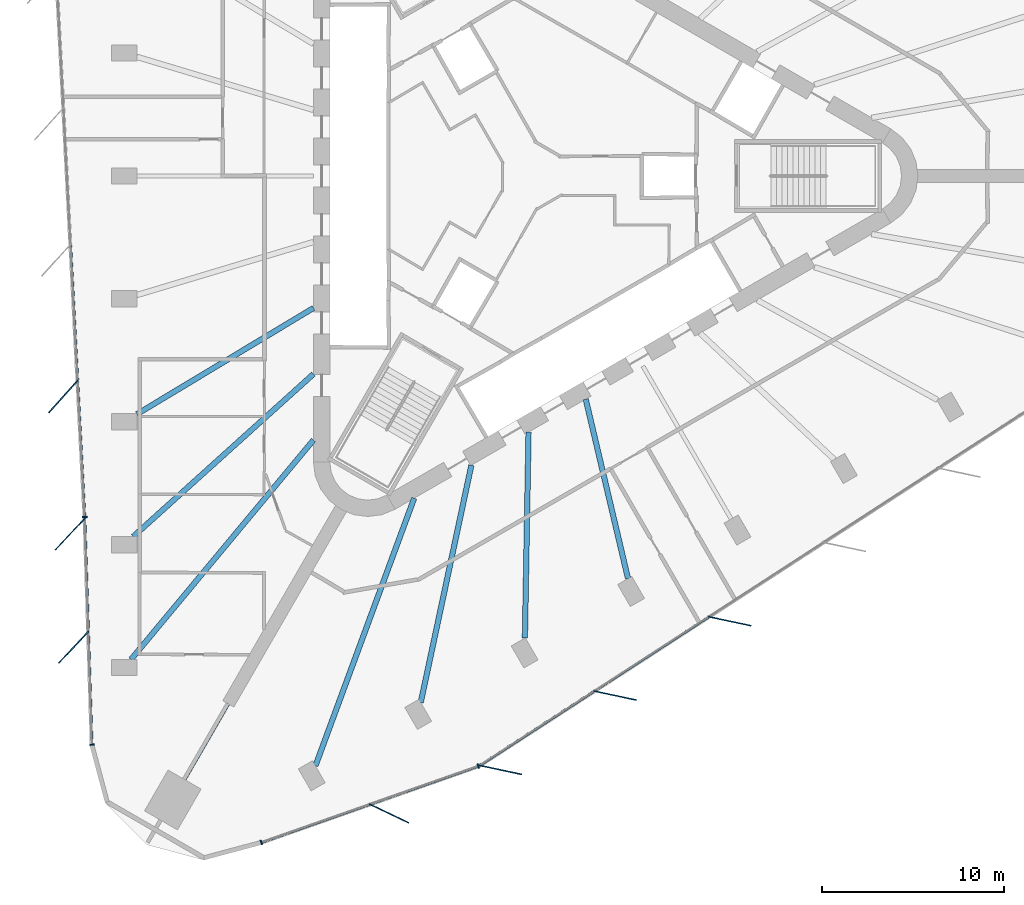
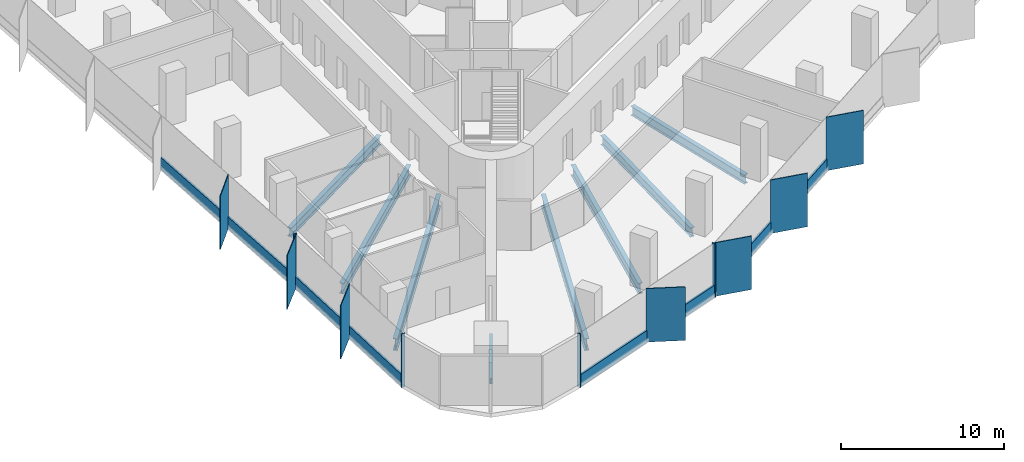
# One storey, part 2 of 13: 19 members, 8 beams, 4 elements without a shape of their own.
"""IFC4 building model written with IfcOpenShell, lengths in metres."""

from ifc_helpers import new_model, si_unit, direction, frame, origin, origin_2d, place, context, subcontext, project, spatial, rectangle, i_section, extrude, material, material_profile, profile_set, type_object, element, aggregate, save


model = new_model("IFC4")

# Units and contexts
model_context = context("Model", 3, precision=1e-05, world=origin(), true_north=direction((0.0, 1.0)))
body_context = subcontext(model_context, "Body", "Model", "MODEL_VIEW")
ifc_project = project(units=[si_unit("LENGTHUNIT", "METRE"), si_unit("AREAUNIT", "SQUARE_METRE"), si_unit("VOLUMEUNIT", "CUBIC_METRE"), si_unit("PLANEANGLEUNIT", "RADIAN"), si_unit("MASSUNIT", "GRAM", prefix="KILO")], contexts=[model_context])

# Site, building, storey
site_placement = place(None, origin())
site = spatial("IfcSite", under=ifc_project, at=site_placement, CompositionType="ELEMENT")
building_placement = place(site_placement, origin())
building = spatial("IfcBuilding", under=site, at=building_placement, Name="Tanit Gate Tower", CompositionType="ELEMENT")
storey_placement = place(building_placement, frame((0.0, 0.0, 177.199951171875)))
storey = spatial("IfcBuildingStorey", under=building, at=storey_placement, Name="L38", CompositionType="ELEMENT", Elevation=177.199951171875)

# Curtain wall, member
ifc_material_1 = material(Name="Aluminium bronze anodised and glass", Category="aluminium")
curtain_wall_type = type_object("IfcCurtainWallType", Name="Curtain wall typical mid", PredefinedType="NOTDEFINED", material=ifc_material_1)
curtain_wall_1_placement = place(storey_placement, origin())
curtain_wall_1 = element("IfcCurtainWall", 1, at=curtain_wall_1_placement, inside=storey, type_object=curtain_wall_type, Name="Curtain wall L38 W2", PredefinedType="NOTDEFINED")
ifc_material_2 = material(Name="Aluminium bronze anodised", Category="aluminium")
ifc_material_profile_1 = material_profile(ifc_material_2, rectangle(XDim=2.39990234375, YDim=0.055908203125, at=origin_2d()), Name="56x2400 bronze fin mullion")
ifc_profile_set_1 = profile_set([ifc_material_profile_1], Name="Aluminium bronze anodised")
member_type_1 = type_object("IfcMemberType", Name="FIN MULLION 56x2400 bronze", PredefinedType="MULLION", material=ifc_profile_set_1)
member_1_placement = place(storey_placement, frame((-25.882080078125, -12.150634765625, -0.300048828125), z_axis=(0.0, 0.0, 1.0), x_axis=(0.66948111798, 0.742829073656, 0.0)))
member_1 = element("IfcMember", 2, at=member_1_placement, type_object=member_type_1, Name="Fin mullion L38 W2.5", PredefinedType="MULLION", context=body_context, shape_type="SweptSolid", body=[
    extrude(rectangle(XDim=2.39990234375, YDim=0.055908203125, at=origin_2d()), origin(), (0.0, 0.0, 1.0), 4.0),
])

# Curtain wall, members
curtain_wall_2_placement = place(storey_placement, origin())
curtain_wall_2 = element("IfcCurtainWall", 3, at=curtain_wall_2_placement, inside=storey, type_object=curtain_wall_type, Name="Curtain wall L38 W3", PredefinedType="NOTDEFINED")
member_2_placement = place(storey_placement, frame((-25.505859375, -19.72998046875, -0.300048828125), z_axis=(0.0, 0.0, 1.0), x_axis=(0.684421819874, 0.729086258601, 0.0)))
member_2 = element("IfcMember", 4, at=member_2_placement, type_object=member_type_1, Name="Fin mullion L38 W3.1", PredefinedType="MULLION", context=body_context, shape_type="SweptSolid", body=[
    extrude(rectangle(XDim=2.39990234375, YDim=0.055908203125, at=origin_2d()), origin(), (0.0, 0.0, 1.0), 4.0),
])
member_3_placement = place(storey_placement, frame((-25.30908203125, -25.962158203125, -0.300048828125), z_axis=(0.0, 0.0, 1.0), x_axis=(0.684421819874, 0.729086258601, 0.0)))
member_3 = element("IfcMember", 5, at=member_3_placement, type_object=member_type_1, Name="Fin mullion L38 W3.2", PredefinedType="MULLION", context=body_context, shape_type="SweptSolid", body=[
    extrude(rectangle(XDim=2.39990234375, YDim=0.055908203125, at=origin_2d()), origin(), (0.0, 0.0, 1.0), 4.0),
])

# Curtain wall, member
curtain_wall_3_placement = place(storey_placement, origin())
curtain_wall_3 = element("IfcCurtainWall", 6, at=curtain_wall_3_placement, inside=storey, type_object=curtain_wall_type, Name="Curtain wall L38 SE1", PredefinedType="NOTDEFINED")
member_4_placement = place(storey_placement, frame((-7.930908203125, -35.12548828125, -0.300048828125), z_axis=(0.0, 0.0, 1.0), x_axis=(-0.901724971875, 0.432310160762, 0.0)))
member_4 = element("IfcMember", 7, at=member_4_placement, type_object=member_type_1, Name="Fin mullion L38 SE1.2", PredefinedType="MULLION", context=body_context, shape_type="SweptSolid", body=[
    extrude(rectangle(XDim=2.39990234375, YDim=0.055908203125, at=origin_2d()), origin(), (0.0, 0.0, 1.0), 4.0),
])

# Curtain wall, members
curtain_wall_4_placement = place(storey_placement, origin())
curtain_wall_4 = element("IfcCurtainWall", 8, at=curtain_wall_4_placement, inside=storey, type_object=curtain_wall_type, Name="Curtain wall L38 SE2", PredefinedType="NOTDEFINED")
member_5_placement = place(storey_placement, frame((-1.79052734375, -32.72265625, -0.300048828125), z_axis=(0.0, 0.0, 1.0), x_axis=(-0.978049407445, 0.208373118697, 0.0)))
member_5 = element("IfcMember", 9, at=member_5_placement, type_object=member_type_1, Name="Fin mullion L38 SE2.1", PredefinedType="MULLION", context=body_context, shape_type="SweptSolid", body=[
    extrude(rectangle(XDim=2.39990234375, YDim=0.055908203125, at=origin_2d()), origin(), (0.0, 0.0, 1.0), 4.0),
])
member_6_placement = place(storey_placement, frame((4.52294921875, -28.626708984375, -0.300048828125), z_axis=(0.0, 0.0, 1.0), x_axis=(-0.978049407445, 0.208373118697, 0.0)))
member_6 = element("IfcMember", 10, at=member_6_placement, type_object=member_type_1, Name="Fin mullion L38 SE2.2", PredefinedType="MULLION", context=body_context, shape_type="SweptSolid", body=[
    extrude(rectangle(XDim=2.39990234375, YDim=0.055908203125, at=origin_2d()), origin(), (0.0, 0.0, 1.0), 4.0),
])
member_7_placement = place(storey_placement, frame((10.836669921875, -24.53076171875, -0.300048828125), z_axis=(0.0, 0.0, 1.0), x_axis=(-0.978049407445, 0.208373118697, 0.0)))
member_7 = element("IfcMember", 11, at=member_7_placement, type_object=member_type_1, Name="Fin mullion L38 SE2.3", PredefinedType="MULLION", context=body_context, shape_type="SweptSolid", body=[
    extrude(rectangle(XDim=2.39990234375, YDim=0.055908203125, at=origin_2d()), origin(), (0.0, 0.0, 1.0), 4.0),
])

# Member
ifc_material_3 = material(Name="Aluminium bronze anodised", Category="aluminium")
ifc_material_profile_2 = material_profile(ifc_material_3, rectangle(XDim=0.260009765625, YDim=0.080078125, at=origin_2d()), Name="80x260 bronze mullion")
ifc_profile_set_2 = profile_set([ifc_material_profile_2], Name="Aluminium bronze anodised")
member_type_2 = type_object("IfcMemberType", Name="Mullion 80x260 typical mid", PredefinedType="MULLION", material=ifc_profile_set_2)
member_8_placement = place(storey_placement, frame((-24.70263671875, -18.79052734375, -0.300048828125), z_axis=(0.0, 0.0, 1.0), x_axis=(0.998654113645, 0.051864836844, 0.0)))
member_8 = element("IfcMember", 12, at=member_8_placement, type_object=member_type_2, Name="Mullion L38 W2.6", PredefinedType="MULLION", context=body_context, shape_type="SweptSolid", body=[
    extrude(rectangle(XDim=0.260009765625, YDim=0.080078125, at=origin_2d()), origin(), (0.0, 0.0, 1.0), 4.0),
])

member_9_placement = place(storey_placement, frame((-24.305419921875, -31.3349609375, -0.300048828125), z_axis=(0.0, 0.0, 1.0), x_axis=(0.999501147551, 0.031582527502, 0.0)))
member_9 = element("IfcMember", 13, at=member_9_placement, type_object=member_type_2, Name="Mullion L38 W3.3", PredefinedType="MULLION", context=body_context, shape_type="SweptSolid", body=[
    extrude(rectangle(XDim=0.260009765625, YDim=0.080078125, at=origin_2d()), origin(), (0.0, 0.0, 1.0), 4.0),
])

member_10_placement = place(storey_placement, frame((-14.97265625, -36.7197265625, -0.300048828125), z_axis=(0.0, 0.0, 1.0), x_axis=(-0.331926396127, 0.943305288628, 0.0)))
member_10 = element("IfcMember", 14, at=member_10_placement, type_object=member_type_2, Name="Mullion L38 SE1.1", PredefinedType="MULLION", context=body_context, shape_type="SweptSolid", body=[
    extrude(rectangle(XDim=0.260009765625, YDim=0.080078125, at=origin_2d()), origin(), (0.0, 0.0, 1.0), 4.0),
])

member_11_placement = place(storey_placement, frame((-3.0146484375, -32.511962890625, -0.300048828125), z_axis=(0.0, 0.0, 1.0), x_axis=(-0.331926396127, 0.943305288628, 0.0)))
member_11 = element("IfcMember", 15, at=member_11_placement, type_object=member_type_2, Name="Mullion L38 SE1.3", PredefinedType="MULLION", context=body_context, shape_type="SweptSolid", body=[
    extrude(rectangle(XDim=0.260009765625, YDim=0.080078125, at=origin_2d()), origin(), (0.0, 0.0, 1.0), 4.0),
])

# Beams
ifc_material_4 = material(Name="Steel S355", Category="steel")
ifc_material_profile_3 = material_profile(ifc_material_4, i_section(OverallWidth=0.300048828125, OverallDepth=0.68994140625, WebThickness=0.014404296875, FlangeThickness=0.027099609375, FilletRadius=0.027099609375, at=origin_2d()), Name="HEA 700")
ifc_profile_set_3 = profile_set([ifc_material_profile_3], Name="Steel S355")
beam_type_1 = type_object("IfcBeamType", Name="RADIAL GIRDER HEA 700 S355", PredefinedType="BEAM", material=ifc_profile_set_3)
for number, where, z_axis, x_axis, name in (
    (16, (-21.823486328125, -13.12109375, -0.64501953125), (0.857021594062, 0.51528049382, 0.0), (-0.51528049382, 0.857021594062, 0.0), "RADIAL GIRDER"),
    (17, (-0.451416015625, -25.460205078125, -0.64501953125), (0.017734805859, 0.999842725963, 0.0), (-0.999842725963, 0.017734805859, 0.0), "RADIAL GIRDER"),
):
    element("IfcBeam", number, at=place(storey_placement, frame(where, z_axis=z_axis, x_axis=x_axis)), inside=storey, type_object=beam_type_1, Name=name, PredefinedType="BEAM", context=body_context, shape_type="SweptSolid", body=[
        extrude(i_section(OverallWidth=0.300048828125, OverallDepth=0.68994140625, WebThickness=0.014404296875, FlangeThickness=0.027099609375, FilletRadius=0.027099609375, at=origin_2d()), origin(), (0.0, 0.0, 1.0), 11.34326171875),
    ])
beam_1_placement = place(storey_placement, frame((5.22998046875, -22.18017578125, -0.64501953125), z_axis=(-0.22948703754, 0.973311717592, 0.0), x_axis=(-0.973311717592, -0.22948703754, 0.0)))
element("IfcBeam", 18, at=beam_1_placement, inside=storey, type_object=beam_type_1, Name="RADIAL GIRDER", PredefinedType="BEAM", context=body_context, shape_type="SweptSolid", body=[
    extrude(i_section(OverallWidth=0.300048828125, OverallDepth=0.68994140625, WebThickness=0.014404296875, FlangeThickness=0.027099609375, FilletRadius=0.027099609375, at=origin_2d()), origin(), (0.0, 0.0, 1.0), 10.1513671875),
])
ifc_material_5 = material(Name="Steel S355", Category="steel")
ifc_material_profile_4 = material_profile(ifc_material_5, i_section(OverallWidth=0.300048828125, OverallDepth=0.7900390625, WebThickness=0.014892578125, FlangeThickness=0.028076171875, FilletRadius=0.030029296875, at=origin_2d()), Name="HEA 800")
ifc_profile_set_4 = profile_set([ifc_material_profile_4], Name="Steel S355")
beam_type_2 = type_object("IfcBeamType", Name="RADIAL GIRDER HEA 800 S355", PredefinedType="BEAM", material=ifc_profile_set_4)
beam_2_placement = place(storey_placement, frame((-22.024658203125, -19.86279296875, -0.695068359375), z_axis=(0.742618722564, 0.669714441309, 0.0), x_axis=(-0.669714441309, 0.742618722564, 0.0)))
element("IfcBeam", 19, at=beam_2_placement, inside=storey, type_object=beam_type_2, Name="RADIAL GIRDER", PredefinedType="BEAM", context=body_context, shape_type="SweptSolid", body=[
    extrude(i_section(OverallWidth=0.300048828125, OverallDepth=0.7900390625, WebThickness=0.014892578125, FlangeThickness=0.028076171875, FilletRadius=0.030029296875, at=origin_2d()), origin(), (0.0, 0.0, 1.0), 13.361572265625),
])
beam_3_placement = place(storey_placement, frame((-6.189453125, -29.00537109375, -0.695068359375), z_axis=(0.208696725108, 0.977980407232, 0.0), x_axis=(-0.977980407232, 0.208696725108, 0.0)))
element("IfcBeam", 20, at=beam_3_placement, inside=storey, type_object=beam_type_2, Name="RADIAL GIRDER", PredefinedType="BEAM", context=body_context, shape_type="SweptSolid", body=[
    extrude(i_section(OverallWidth=0.300048828125, OverallDepth=0.7900390625, WebThickness=0.014892578125, FlangeThickness=0.028076171875, FilletRadius=0.030029296875, at=origin_2d()), origin(), (0.0, 0.0, 1.0), 13.36181640625),
])
ifc_material_6 = material(Name="Steel S355", Category="steel")
ifc_material_profile_5 = material_profile(ifc_material_6, i_section(OverallWidth=0.300048828125, OverallDepth=0.889892578125, WebThickness=0.01611328125, FlangeThickness=0.030029296875, FilletRadius=0.030029296875, at=origin_2d()), Name="HEA 900")
ifc_profile_set_5 = profile_set([ifc_material_profile_5], Name="Steel S355")
beam_type_3 = type_object("IfcBeamType", Name="RADIAL GIRDER HEA 900 S355", PredefinedType="BEAM", material=ifc_profile_set_5)
for number, where, z_axis, x_axis, name in (
    (21, (-22.1494140625, -26.6337890625, -0.744873046875), (0.639410789887, 0.768865294949, 0.0), (-0.768865294949, 0.639410789887, 0.0), "RADIAL GIRDER"),
    (22, (-11.990966796875, -32.498779296875, -0.744873046875), (0.346151727989, 0.93817854442, 0.0), (-0.93817854442, 0.346151727989, 0.0), "RADIAL GIRDER"),
):
    element("IfcBeam", number, at=place(storey_placement, frame(where, z_axis=z_axis, x_axis=x_axis)), inside=storey, type_object=beam_type_3, Name=name, PredefinedType="BEAM", context=body_context, shape_type="SweptSolid", body=[
        extrude(i_section(OverallWidth=0.300048828125, OverallDepth=0.889892578125, WebThickness=0.01611328125, FlangeThickness=0.030029296875, FilletRadius=0.030029296875, at=origin_2d()), origin(), (0.0, 0.0, 1.0), 15.71337890625),
    ])
ifc_material_7 = material(Name="Steel S355", Category="steel")
ifc_material_profile_6 = material_profile(ifc_material_7, i_section(OverallWidth=0.179931640625, OverallDepth=0.39990234375, WebThickness=0.008544921875, FlangeThickness=0.013427734375, FilletRadius=0.02099609375, at=origin_2d()), Name="IPE 400")
ifc_profile_set_6 = profile_set([ifc_material_profile_6], Name="Steel S355")
beam_type_4 = type_object("IfcBeamType", Name="RADIAL GIRDER IPE 400 S355", PredefinedType="BEAM", material=ifc_profile_set_6)
beam_4_placement = place(storey_placement, frame((-19.198974609375, -33.253662109375, -0.5), z_axis=(0.500010649093, 0.866019255441, 0.0), x_axis=(-0.866019255441, 0.500010649093, 0.0)))
element("IfcBeam", 23, at=beam_4_placement, inside=storey, type_object=beam_type_4, Name="RADIAL GIRDER", PredefinedType="BEAM", context=body_context, shape_type="SweptSolid", body=[
    extrude(i_section(OverallWidth=0.179931640625, OverallDepth=0.39990234375, WebThickness=0.008544921875, FlangeThickness=0.013427734375, FilletRadius=0.02099609375, at=origin_2d()), origin(), (0.0, 0.0, 1.0), 4.8154296875),
])

# Member
ifc_material_8 = material(Name="Aluminium bronze anodised", Category="aluminium")
ifc_material_profile_7 = material_profile(ifc_material_8, rectangle(XDim=0.139892578125, YDim=0.89990234375, at=origin_2d()), Name="140x900 bronze transom")
ifc_profile_set_7 = profile_set([ifc_material_profile_7], Name="Aluminium bronze anodised")
member_type_3 = type_object("IfcMemberType", Name="Transom 140x900 typical mid", PredefinedType="USERDEFINED", material=ifc_profile_set_7)
member_12_placement = place(storey_placement, frame((-25.481201171875, -3.79931640625, 0.150146484375), z_axis=(0.051872154399, -0.998653733582, 0.0), x_axis=(0.998653733582, 0.051872154399, 0.0)))
member_12 = element("IfcMember", 24, at=member_12_placement, type_object=member_type_3, Name="Transom L38 W2.4", ObjectType="TRANSOM", PredefinedType="USERDEFINED", context=body_context, shape_type="SweptSolid", body=[
    extrude(rectangle(XDim=0.139892578125, YDim=0.89990234375, at=origin_2d()), origin(), (0.0, 0.0, 1.0), 7.44580078125),
])

member_13_placement = place(storey_placement, frame((-25.0908203125, -11.31494140625, 0.150146484375), z_axis=(0.051872154399, -0.998653733582, 0.0), x_axis=(0.998653733582, 0.051872154399, 0.0)))
member_13 = element("IfcMember", 25, at=member_13_placement, type_object=member_type_3, Name="Transom L38 W2.5", ObjectType="TRANSOM", PredefinedType="USERDEFINED", context=body_context, shape_type="SweptSolid", body=[
    extrude(rectangle(XDim=0.139892578125, YDim=0.89990234375, at=origin_2d()), origin(), (0.0, 0.0, 1.0), 7.44580078125),
])

aggregate(curtain_wall_1, [member_1, member_8, member_12, member_13])

member_14_placement = place(storey_placement, frame((-24.697998046875, -18.910400390625, 0.150146484375), z_axis=(0.031611178283, -0.999500241825, 0.0), x_axis=(0.999500241825, 0.031611178283, 0.0)))
member_14 = element("IfcMember", 26, at=member_14_placement, type_object=member_type_3, Name="Transom L38 W3.1", ObjectType="TRANSOM", PredefinedType="USERDEFINED", context=body_context, shape_type="SweptSolid", body=[
    extrude(rectangle(XDim=0.139892578125, YDim=0.89990234375, at=origin_2d()), origin(), (0.0, 0.0, 1.0), 6.155517578125),
])

member_15_placement = place(storey_placement, frame((-24.5009765625, -25.142578125, 0.150146484375), z_axis=(0.031571555134, -0.999501494199, 0.0), x_axis=(0.999501494199, 0.031571555134, 0.0)))
member_15 = element("IfcMember", 27, at=member_15_placement, type_object=member_type_3, Name="Transom L38 W3.2", ObjectType="TRANSOM", PredefinedType="USERDEFINED", context=body_context, shape_type="SweptSolid", body=[
    extrude(rectangle(XDim=0.139892578125, YDim=0.89990234375, at=origin_2d()), origin(), (0.0, 0.0, 1.0), 6.155517578125),
])

aggregate(curtain_wall_2, [member_2, member_3, member_9, member_14, member_15])

member_16_placement = place(storey_placement, frame((-14.93505859375, -36.70654296875, 0.150146484375), z_axis=(0.94330175991, 0.331936424262, 0.0), x_axis=(-0.331936424262, 0.94330175991, 0.0)))
member_16 = element("IfcMember", 28, at=member_16_placement, type_object=member_type_3, Name="Transom L38 SE1.1", ObjectType="TRANSOM", PredefinedType="USERDEFINED", context=body_context, shape_type="SweptSolid", body=[
    extrude(rectangle(XDim=0.139892578125, YDim=0.89990234375, at=origin_2d()), origin(), (0.0, 0.0, 1.0), 6.25830078125),
])

member_17_placement = place(storey_placement, frame((-8.9560546875, -34.6025390625, 0.150146484375), z_axis=(0.94330175991, 0.331936424262, 0.0), x_axis=(-0.331936424262, 0.94330175991, 0.0)))
member_17 = element("IfcMember", 29, at=member_17_placement, type_object=member_type_3, Name="Transom L38 SE1.2", ObjectType="TRANSOM", PredefinedType="USERDEFINED", context=body_context, shape_type="SweptSolid", body=[
    extrude(rectangle(XDim=0.139892578125, YDim=0.89990234375, at=origin_2d()), origin(), (0.0, 0.0, 1.0), 6.25830078125),
])

aggregate(curtain_wall_3, [member_10, member_4, member_11, member_16, member_17])

member_18_placement = place(storey_placement, frame((-2.909912109375, -32.455078125, 0.150146484375), z_axis=(0.838936201381, 0.544229776852, 0.0), x_axis=(-0.544229776852, 0.838936201381, 0.0)))
member_18 = element("IfcMember", 30, at=member_18_placement, type_object=member_type_3, Name="Transom L38 SE2.1", ObjectType="TRANSOM", PredefinedType="USERDEFINED", context=body_context, shape_type="SweptSolid", body=[
    extrude(rectangle(XDim=0.139892578125, YDim=0.89990234375, at=origin_2d()), origin(), (0.0, 0.0, 1.0), 7.44580078125),
])

member_19_placement = place(storey_placement, frame((3.40380859375, -28.359375, 0.150146484375), z_axis=(0.838926489373, 0.544244747727, 0.0), x_axis=(-0.544244747727, 0.838926489373, 0.0)))
member_19 = element("IfcMember", 31, at=member_19_placement, type_object=member_type_3, Name="Transom L38 SE2.2", ObjectType="TRANSOM", PredefinedType="USERDEFINED", context=body_context, shape_type="SweptSolid", body=[
    extrude(rectangle(XDim=0.139892578125, YDim=0.89990234375, at=origin_2d()), origin(), (0.0, 0.0, 1.0), 7.445556640625),
])

aggregate(curtain_wall_4, [member_5, member_6, member_7, member_18, member_19])

save(model, "model.ifc")
